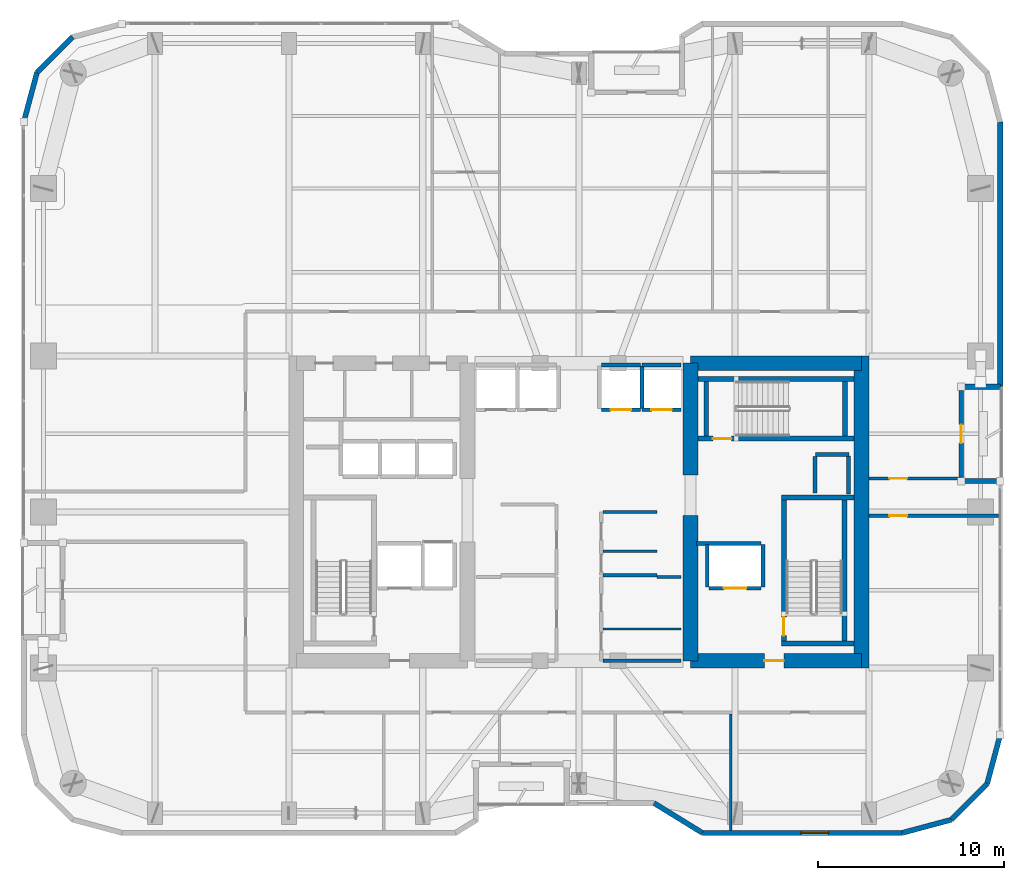
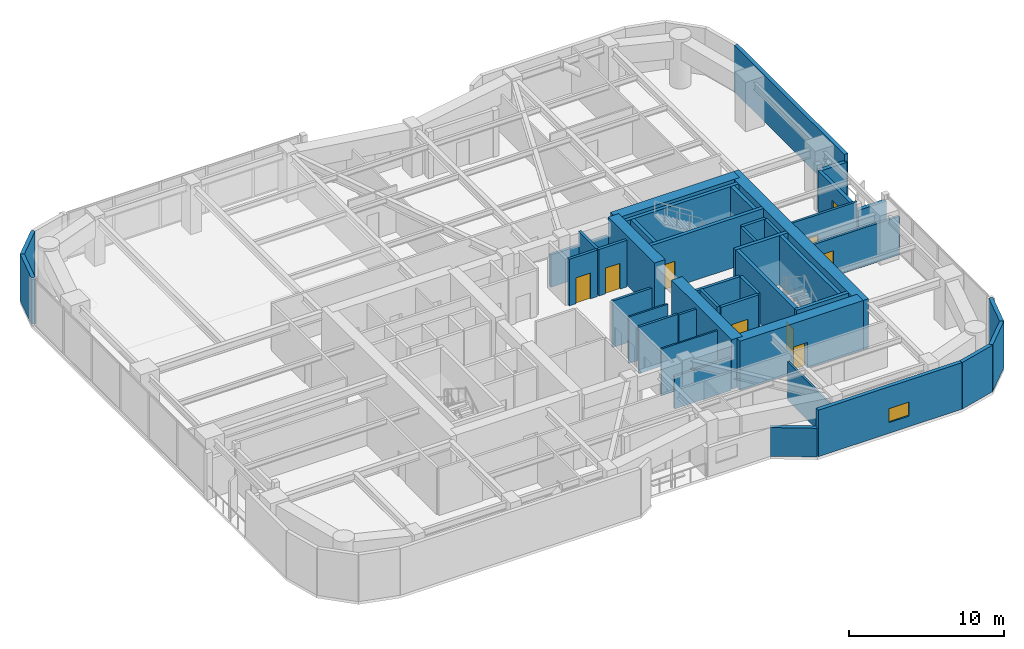
# One storey, part 27 of 31: 45 walls, 9 doors, 1 window, 10 openings.
"""IFC4 building model written with IfcOpenShell, lengths in metres."""

from ifc_helpers import new_model, si_unit, direction, frame, frame_2d, origin, place, context, subcontext, project, spatial, rectangle, extrude, material, layer, layer_set, type_object, element, fill, save


model = new_model("IFC4")

# Units and contexts
model_context = context("Model", 3, precision=1e-05, world=origin(), true_north=direction((0.0, 1.0)))
body_context = subcontext(model_context, "Body", "Model", "MODEL_VIEW")
ifc_project = project(units=[si_unit("LENGTHUNIT", "METRE"), si_unit("AREAUNIT", "SQUARE_METRE"), si_unit("VOLUMEUNIT", "CUBIC_METRE"), si_unit("PLANEANGLEUNIT", "RADIAN"), si_unit("MASSUNIT", "GRAM", prefix="KILO")], contexts=[model_context])

# Site, building, storey
site_placement = place(None, origin())
site = spatial("IfcSite", under=ifc_project, at=site_placement, CompositionType="ELEMENT")
building_placement = place(site_placement, origin())
building = spatial("IfcBuilding", under=site, at=building_placement, Name="Kiyonajd Concourse Tower", CompositionType="ELEMENT")
storey_placement = place(building_placement, frame((0.0, 0.0, 158.39990234375)))
storey = spatial("IfcBuildingStorey", under=building, at=storey_placement, Name="L40", CompositionType="ELEMENT", Elevation=158.39990234375)

# Walls
ifc_material_1 = material(Name="Concrete C70/85", Category="concrete")
ifc_layer_1 = layer(ifc_material_1, 0.800048828125)
ifc_layer_set_1 = layer_set([ifc_layer_1], Name="Concrete C70/85")
wall_type_1 = type_object("IfcWallType", Name="WL-CORE-800", PredefinedType="SHEAR", material=ifc_layer_set_1)
wall_1_placement = place(storey_placement, frame((54.0, 28.0, 0.0), z_axis=(0.0, 0.0, 1.0), x_axis=(0.0, 1.0, 0.0)))
element("IfcWall", 1, at=wall_1_placement, inside=storey, type_object=wall_type_1, Name="L40 East Core Inner South Shear Wall", PredefinedType="SHEAR", context=body_context, shape_type="SweptSolid", body=[
    extrude(rectangle(XDim=7.800048828125, YDim=0.800048828125, at=frame_2d((3.89990234375, 0.0))), origin(), (0.0, 0.0, 1.0), 3.900146484375),
])
wall_2_placement = place(storey_placement, frame((54.0, 38.0, 0.0), z_axis=(0.0, 0.0, 1.0), x_axis=(0.0, 1.0, 0.0)))
element("IfcWall", 2, at=wall_2_placement, inside=storey, type_object=wall_type_1, Name="L40 East Core Inner North Shear Wall", PredefinedType="SHEAR", context=body_context, shape_type="SweptSolid", body=[
    extrude(rectangle(XDim=6.0, YDim=0.800048828125, at=frame_2d((3.0, 0.0))), origin(), (0.0, 0.0, 1.0), 3.900146484375),
])
wall_3_placement = place(storey_placement, frame((63.199951171875, 27.60009765625, 0.0), z_axis=(0.0, 0.0, 1.0), x_axis=(0.0, 1.0, 0.0)))
element("IfcWall", 3, at=wall_3_placement, inside=storey, type_object=wall_type_1, Name="L40 East Core Outer Shear Wall", PredefinedType="SHEAR", context=body_context, shape_type="SweptSolid", body=[
    extrude(rectangle(XDim=16.7998046875, YDim=0.800048828125, at=frame_2d((8.39990234375, 0.0))), origin(), (0.0, 0.0, 1.0), 3.900146484375),
])

# Wall, opening, door
wall_4_placement = place(storey_placement, frame((54.0, 28.0, 0.0), z_axis=(0.0, 0.0, 1.0), x_axis=(1.0, 0.0, 0.0)))
wall_4 = element("IfcWall", 4, at=wall_4_placement, inside=storey, type_object=wall_type_1, Name="L40 East Core South Shear Wall", PredefinedType="SHEAR", context=body_context, shape_type="SweptSolid", body=[
    extrude(rectangle(XDim=9.199951171875, YDim=0.800048828125, at=frame_2d((4.60009765625, 0.0))), origin(), (0.0, 0.0, 1.0), 3.900146484375),
])
opening_1_placement = place(wall_4_placement, frame((3.97509765625, 0.0, 0.0)))
opening_1 = element("IfcOpeningElement", 5, at=opening_1_placement, cuts=wall_4, Name="Opening DF5", PredefinedType="OPENING", context=body_context, shape_type="SweptSolid", body=[
    extrude(rectangle(XDim=1.050048828125, YDim=2.0400390625, at=frame_2d((0.52490234375, 1.02001953125))), frame((0.0, 0.409912109375, 0.0), z_axis=(0.0, -1.0, 0.0), x_axis=(1.0, 0.0, 0.0)), (0.0, 0.0, 1.0), 0.820068359375),
])
ifc_material_2 = material(Name="Brushed Stainless Steel Cab Assembly", Category="steel")
door_type_1 = type_object("IfcDoorType", Name="DR-FD45-1050", OperationType="NOTDEFINED", PredefinedType="DOOR", material=ifc_material_2)
door_1_placement = place(opening_1_placement, origin())
door_1 = element("IfcDoor", 6, at=door_1_placement, inside=storey, type_object=door_type_1, Name="L40 Firefighting Lift Lobby E Smoke Door", OperationType="SINGLE_SWING_RIGHT", OverallHeight=2.0400390625, OverallWidth=1.050048828125, PredefinedType="DOOR", context=body_context, shape_type="SweptSolid", body=[
    extrude(rectangle(XDim=1.050048828125, YDim=2.0400390625, at=frame_2d((0.52490234375, 1.02001953125))), frame((0.0, 0.02490234375, 0.0), z_axis=(0.0, -1.0, 0.0), x_axis=(1.0, 0.0, 0.0)), (0.0, 0.0, 1.0), 0.050048828125),
])
fill(opening_1, door_1)

# Walls
wall_5_placement = place(storey_placement, frame((54.0, 44.0, 0.0), z_axis=(0.0, 0.0, 1.0), x_axis=(1.0, 0.0, 0.0)))
element("IfcWall", 7, at=wall_5_placement, inside=storey, type_object=wall_type_1, Name="L40 East Core North Shear Wall", PredefinedType="SHEAR", context=body_context, shape_type="SweptSolid", body=[
    extrude(rectangle(XDim=9.199951171875, YDim=0.800048828125, at=frame_2d((4.60009765625, 0.0))), origin(), (0.0, 0.0, 1.0), 3.900146484375),
])
ifc_material_3 = material(Name="Precast concrete C50/60", Category="concrete")
ifc_layer_2 = layer(ifc_material_3, 0.280029296875)
ifc_layer_set_2 = layer_set([ifc_layer_2], Name="Precast concrete C50/60")
wall_type_2 = type_object("IfcWallType", Name="WL-EXT-280", PredefinedType="SOLIDWALL", material=ifc_layer_set_2)
wall_6_placement = place(storey_placement, frame((18.139892578125, 56.981689453125, 0.0), z_axis=(0.0, 0.0, 1.0), x_axis=(0.258672222976, 0.9659651552, 0.0)))
element("IfcWall", 8, at=wall_6_placement, inside=storey, type_object=wall_type_2, Name="L40 Exterior Concrete Frame Wall 06", PredefinedType="SOLIDWALL", context=body_context, shape_type="SweptSolid", body=[
    extrude(rectangle(XDim=2.739013671875, YDim=0.280029296875, at=frame_2d((1.36962890625, 0.0))), origin(), (0.0, 0.0, 1.0), 3.68017578125),
])
wall_7_placement = place(storey_placement, frame((18.848388671875, 59.62744140625, 0.0), z_axis=(0.0, 0.0, 1.0), x_axis=(0.707106781187, 0.707106781187, 0.0)))
element("IfcWall", 9, at=wall_7_placement, inside=storey, type_object=wall_type_2, Name="L40 Exterior Concrete Frame Wall 07", PredefinedType="SOLIDWALL", context=body_context, shape_type="SweptSolid", body=[
    extrude(rectangle(XDim=2.720947265625, YDim=0.280029296875, at=frame_2d((1.3603515625, 0.0))), origin(), (0.0, 0.0, 1.0), 3.68017578125),
])
wall_8_placement = place(storey_placement, frame((70.659912109375, 56.981689453125, 0.0), z_axis=(0.0, 0.0, 1.0), x_axis=(0.0, -1.0, 0.0)))
element("IfcWall", 10, at=wall_8_placement, inside=storey, type_object=wall_type_2, Name="L40 Exterior Concrete Frame Wall 20", PredefinedType="SOLIDWALL", context=body_context, shape_type="SweptSolid", body=[
    extrude(rectangle(XDim=14.24169921875, YDim=0.280029296875, at=frame_2d((7.120849609375, 0.0))), origin(), (0.0, 0.0, 1.0), 3.68017578125),
])
for number, where, z_axis, x_axis, name in (
    (11, (70.659912109375, 42.739990234375, 0.0), (0.0, 0.0, 1.0), (-1.0, 0.0, 0.0), "L40 Exterior Concrete Frame Wall 21"),
    (12, (68.56005859375, 37.659912109375, 0.0), (0.0, 0.0, 1.0), (1.0, 0.0, 0.0), "L40 Exterior Concrete Frame Wall 23"),
):
    element("IfcWall", number, at=place(storey_placement, frame(where, z_axis=z_axis, x_axis=x_axis)), inside=storey, type_object=wall_type_2, Name=name, PredefinedType="SOLIDWALL", context=body_context, shape_type="SweptSolid", body=[
        extrude(rectangle(XDim=2.099853515625, YDim=0.280029296875, at=frame_2d((1.0498046875, 0.0))), origin(), (0.0, 0.0, 1.0), 3.1162109375),
    ])
wall_9_placement = place(storey_placement, frame((70.659912109375, 24.018310546875, 0.0), z_axis=(0.0, 0.0, 1.0), x_axis=(-0.258672222976, -0.9659651552, 0.0)))
element("IfcWall", 13, at=wall_9_placement, inside=storey, type_object=wall_type_2, Name="L40 Exterior Concrete Frame Wall 25", PredefinedType="SOLIDWALL", context=body_context, shape_type="SweptSolid", body=[
    extrude(rectangle(XDim=2.739013671875, YDim=0.280029296875, at=frame_2d((1.36962890625, 0.0))), origin(), (0.0, 0.0, 1.0), 3.68017578125),
])
wall_10_placement = place(storey_placement, frame((69.951416015625, 21.37255859375, 0.0), z_axis=(0.0, 0.0, 1.0), x_axis=(-0.707061915429, -0.707151644098, 0.0)))
element("IfcWall", 14, at=wall_10_placement, inside=storey, type_object=wall_type_2, Name="L40 Exterior Concrete Frame Wall 26", PredefinedType="SOLIDWALL", context=body_context, shape_type="SweptSolid", body=[
    extrude(rectangle(XDim=2.720947265625, YDim=0.280029296875, at=frame_2d((1.3603515625, 0.0))), origin(), (0.0, 0.0, 1.0), 3.68017578125),
])
wall_11_placement = place(storey_placement, frame((68.027587890625, 19.448486328125, 0.0), z_axis=(0.0, 0.0, 1.0), x_axis=(-0.965971118627, -0.258649952598, 0.0)))
element("IfcWall", 15, at=wall_11_placement, inside=storey, type_object=wall_type_2, Name="L40 Exterior Concrete Frame Wall 27", PredefinedType="SOLIDWALL", context=body_context, shape_type="SweptSolid", body=[
    extrude(rectangle(XDim=2.7392578125, YDim=0.280029296875, at=frame_2d((1.36962890625, 0.0))), origin(), (0.0, 0.0, 1.0), 3.68017578125),
])

# Wall, opening, window
wall_12_placement = place(storey_placement, frame((65.381591796875, 18.739990234375, 0.0), z_axis=(0.0, 0.0, 1.0), x_axis=(-1.0, 0.0, 0.0)))
wall_12 = element("IfcWall", 16, at=wall_12_placement, inside=storey, type_object=wall_type_2, Name="L40 Exterior Concrete Frame Wall 28", PredefinedType="SOLIDWALL", context=body_context, shape_type="SweptSolid", body=[
    extrude(rectangle(XDim=10.741943359375, YDim=0.280029296875, at=frame_2d((5.37109375, 0.0))), origin(), (0.0, 0.0, 1.0), 3.68017578125),
])
opening_2_placement = place(wall_12_placement, frame((3.950927734375, 0.0, 0.85009765625)))
opening_2 = element("IfcOpeningElement", 17, at=opening_2_placement, cuts=wall_12, Name="Opening WN2", PredefinedType="OPENING", context=body_context, shape_type="SweptSolid", body=[
    extrude(rectangle(XDim=1.5, YDim=1.10009765625, at=frame_2d((0.75, 0.550048828125))), frame((0.0, 0.14990234375, 0.0), z_axis=(0.0, -1.0, 0.0), x_axis=(1.0, 0.0, 0.0)), (0.0, 0.0, 1.0), 0.300048828125),
])
ifc_material_4 = material(Name="Double Low-E Insulated Glass", Category="glass")
window_type = type_object("IfcWindowType", Name="WN-VIS-1500x1100", PartitioningType="SINGLE_PANEL", PredefinedType="WINDOW", material=ifc_material_4)
window_placement = place(opening_2_placement, origin())
window = element("IfcWindow", 18, at=window_placement, inside=storey, type_object=window_type, Name="L40 Modular Facade Vision Window 28", OverallHeight=1.10009765625, OverallWidth=1.5, PartitioningType="SINGLE_PANEL", PredefinedType="WINDOW", context=body_context, shape_type="SweptSolid", body=[
    extrude(rectangle(XDim=1.5, YDim=1.10009765625, at=frame_2d((0.75, 0.550048828125))), frame((0.0, 0.030029296875, 0.0), z_axis=(0.0, -1.0, 0.0), x_axis=(1.0, 0.0, 0.0)), (0.0, 0.0, 1.0), 0.06005859375),
])
fill(opening_2, window)

# Wall
wall_13_placement = place(storey_placement, frame((54.6396484375, 18.739990234375, 0.0), z_axis=(0.0, 0.0, 1.0), x_axis=(-0.851652825334, 0.524106349037, 0.0)))
element("IfcWall", 19, at=wall_13_placement, inside=storey, type_object=wall_type_2, Name="L40 Exterior Concrete Frame Wall 29", PredefinedType="SOLIDWALL", context=body_context, shape_type="SweptSolid", body=[
    extrude(rectangle(XDim=3.052978515625, YDim=0.280029296875, at=frame_2d((1.5263671875, 0.0))), origin(), (0.0, 0.0, 1.0), 2.26513671875),
])

# Wall, opening, door
ifc_layer_3 = layer(ifc_material_3, 0.239990234375)
ifc_layer_set_3 = layer_set([ifc_layer_3], Name="Precast concrete C50/60")
wall_type_3 = type_object("IfcWallType", Name="WL-LOG-240", PredefinedType="SOLIDWALL", material=ifc_layer_set_3)
wall_14_placement = place(storey_placement, frame((68.56005859375, 42.544921875, 0.0), z_axis=(0.0, 0.0, 1.0), x_axis=(0.0, -1.0, 0.0)))
wall_14 = element("IfcWall", 20, at=wall_14_placement, inside=storey, type_object=wall_type_3, Name="L40 Recessed Loggia Thermal Wall LOG-E", PredefinedType="SOLIDWALL", context=body_context, shape_type="SweptSolid", body=[
    extrude(rectangle(XDim=4.68994140625, YDim=0.239990234375, at=frame_2d((2.344970703125, 0.0))), origin(), (0.0, 0.0, 1.0), 3.248046875),
])
opening_3_placement = place(wall_14_placement, frame((1.844970703125, 0.0, 0.0)))
opening_3 = element("IfcOpeningElement", 21, at=opening_3_placement, cuts=wall_14, Name="Opening DL1", PredefinedType="OPENING", context=body_context, shape_type="SweptSolid", body=[
    extrude(rectangle(XDim=1.0, YDim=2.02001953125, at=frame_2d((0.5, 1.010009765625))), frame((0.0, 0.1298828125, 0.0), z_axis=(0.0, -1.0, 0.0), x_axis=(1.0, 0.0, 0.0)), (0.0, 0.0, 1.0), 0.260009765625),
])
ifc_material_5 = material(Name="Thermally Broken Anodised Aluminium", Category="aluminium")
door_type_2 = type_object("IfcDoorType", Name="DR-LOG-1000", OperationType="NOTDEFINED", PredefinedType="DOOR", material=ifc_material_5)
door_2_placement = place(opening_3_placement, origin())
door_2 = element("IfcDoor", 22, at=door_2_placement, inside=storey, type_object=door_type_2, Name="L40 Engawa Loggia Access Door LOG-E", OperationType="SINGLE_SWING_LEFT", OverallHeight=2.02001953125, OverallWidth=1.0, PredefinedType="DOOR", context=body_context, shape_type="SweptSolid", body=[
    extrude(rectangle(XDim=1.0, YDim=2.02001953125, at=frame_2d((0.5, 1.010009765625))), frame((0.0, 0.02490234375, 0.0), z_axis=(0.0, -1.0, 0.0), x_axis=(1.0, 0.0, 0.0)), (0.0, 0.0, 1.0), 0.050048828125),
])
fill(opening_3, door_2)

# Walls
ifc_material_6 = material(Name="Gypsum Board on Cold-Formed Steel Stud", Category="steel")
ifc_layer_4 = layer(ifc_material_6, 0.125)
ifc_layer_set_4 = layer_set([ifc_layer_4], Name="Gypsum Board on Cold-Formed Steel Stud")
wall_type_4 = type_object("IfcWallType", Name="WL-PART-125", PredefinedType="PARTITIONING", material=ifc_layer_set_4)
wall_15_placement = place(storey_placement, frame((49.287109375, 33.89208984375, 0.0), z_axis=(0.0, 0.0, 1.0), x_axis=(1.0, 0.0, 0.0)))
element("IfcWall", 23, at=wall_15_placement, inside=storey, type_object=wall_type_4, Name="L40 Interior Partition Wall", PredefinedType="PARTITIONING", context=body_context, shape_type="SweptSolid", body=[
    extrude(rectangle(XDim=2.912841796875, YDim=0.125, at=frame_2d((1.45654296875, 0.0))), origin(), (0.0, 0.0, 1.0), 3.68017578125),
])
wall_16_placement = place(storey_placement, frame((49.287109375, 29.7099609375, 0.0), z_axis=(0.0, 0.0, 1.0), x_axis=(1.0, 0.0, 0.0)))
element("IfcWall", 24, at=wall_16_placement, inside=storey, type_object=wall_type_4, Name="L40 Interior Partition Wall", PredefinedType="PARTITIONING", context=body_context, shape_type="SweptSolid", body=[
    extrude(rectangle(XDim=4.212890625, YDim=0.125, at=frame_2d((2.1064453125, 0.0))), origin(), (0.0, 0.0, 1.0), 3.68017578125),
])
wall_17_placement = place(storey_placement, frame((56.169921875, 18.875, 0.0), z_axis=(0.0, 0.0, 1.0), x_axis=(0.0, 1.0, 0.0)))
element("IfcWall", 25, at=wall_17_placement, inside=storey, type_object=wall_type_4, Name="L40 Interior Partition Wall", PredefinedType="PARTITIONING", context=body_context, shape_type="SweptSolid", body=[
    extrude(rectangle(XDim=6.258056640625, YDim=0.125, at=frame_2d((3.12890625, 0.0))), origin(), (0.0, 0.0, 1.0), 3.043212890625),
])
ifc_layer_5 = layer(ifc_material_6, 0.2099609375)
ifc_layer_set_5 = layer_set([ifc_layer_5], Name="Gypsum Board on Cold-Formed Steel Stud")
wall_type_5 = type_object("IfcWallType", Name="WL-SHAFT-210", PredefinedType="PARTITIONING", material=ifc_layer_set_5)
wall_18_placement = place(storey_placement, frame((60.719970703125, 39.10009765625, 0.0), z_axis=(0.0, 0.0, 1.0), x_axis=(1.0, 0.0, 0.0)))
element("IfcWall", 26, at=wall_18_placement, inside=storey, type_object=wall_type_5, Name="L40 Shaft Enclosure Wall", PredefinedType="PARTITIONING", context=body_context, shape_type="SweptSolid", body=[
    extrude(rectangle(XDim=1.800048828125, YDim=0.2099609375, at=frame_2d((0.89990234375, 0.0))), origin(), (0.0, 0.0, 1.0), 3.68017578125),
])
wall_19_placement = place(storey_placement, frame((60.699951171875, 37.02001953125, 0.0), z_axis=(0.0, 0.0, 1.0), x_axis=(0.0, 1.0, 0.0)))
element("IfcWall", 27, at=wall_19_placement, inside=storey, type_object=wall_type_5, Name="L40 Shaft Enclosure Wall", PredefinedType="PARTITIONING", context=body_context, shape_type="SweptSolid", body=[
    extrude(rectangle(XDim=1.9599609375, YDim=0.2099609375, at=frame_2d((0.97998046875, 0.0))), origin(), (0.0, 0.0, 1.0), 3.68017578125),
])
wall_20_placement = place(storey_placement, frame((62.5, 36.97998046875, 0.0), z_axis=(0.0, 0.0, 1.0), x_axis=(0.0, 1.0, 0.0)))
element("IfcWall", 28, at=wall_20_placement, inside=storey, type_object=wall_type_5, Name="L40 Shaft Enclosure Wall", PredefinedType="PARTITIONING", context=body_context, shape_type="SweptSolid", body=[
    extrude(rectangle(XDim=2.0400390625, YDim=0.2099609375, at=frame_2d((1.02001953125, 0.0))), origin(), (0.0, 0.0, 1.0), 3.68017578125),
])

# Wall, opening, door
wall_21_placement = place(storey_placement, frame((55.0, 31.89990234375, 0.0), z_axis=(0.0, 0.0, 1.0), x_axis=(1.0, 0.0, 0.0)))
wall_21 = element("IfcWall", 29, at=wall_21_placement, inside=storey, type_object=wall_type_5, Name="L40 Shaft Enclosure Wall", PredefinedType="PARTITIONING", context=body_context, shape_type="SweptSolid", body=[
    extrude(rectangle(XDim=2.800048828125, YDim=0.2099609375, at=frame_2d((1.39990234375, 0.0))), origin(), (0.0, 0.0, 1.0), 3.68017578125),
])
opening_4_placement = place(wall_21_placement, frame((0.800048828125, 0.0, 0.0)))
opening_4 = element("IfcOpeningElement", 30, at=opening_4_placement, cuts=wall_21, Name="Opening LD2", PredefinedType="OPENING", context=body_context, shape_type="SweptSolid", body=[
    extrude(rectangle(XDim=1.199951171875, YDim=2.0400390625, at=frame_2d((0.60009765625, 1.02001953125))), frame((0.0, 0.114990234375, 0.0), z_axis=(0.0, -1.0, 0.0), x_axis=(1.0, 0.0, 0.0)), (0.0, 0.0, 1.0), 0.22998046875),
])
door_type_3 = type_object("IfcDoorType", Name="DR-LD-1200", OperationType="DOUBLE_DOOR_SLIDING", PredefinedType="DOOR", material=ifc_material_2)
door_3_placement = place(opening_4_placement, origin())
door_3 = element("IfcDoor", 31, at=door_3_placement, inside=storey, type_object=door_type_3, Name="L40 Lift FFL2 Sliding Landing Door", OperationType="DOUBLE_DOOR_SLIDING", OverallHeight=2.0400390625, OverallWidth=1.199951171875, PredefinedType="DOOR", context=body_context, shape_type="SweptSolid", body=[
    extrude(rectangle(XDim=1.199951171875, YDim=2.0400390625, at=frame_2d((0.60009765625, 1.02001953125))), frame((0.0, 0.02490234375, 0.0), z_axis=(0.0, -1.0, 0.0), x_axis=(1.0, 0.0, 0.0)), (0.0, 0.0, 1.0), 0.050048828125),
])
fill(opening_4, door_3)

# Walls
wall_22_placement = place(storey_placement, frame((54.320068359375, 34.300048828125, 0.0), z_axis=(0.0, 0.0, 1.0), x_axis=(1.0, 0.0, 0.0)))
element("IfcWall", 32, at=wall_22_placement, inside=storey, type_object=wall_type_5, Name="L40 Shaft Enclosure Wall", PredefinedType="PARTITIONING", context=body_context, shape_type="SweptSolid", body=[
    extrude(rectangle(XDim=3.47998046875, YDim=0.2099609375, at=frame_2d((1.739990234375, 0.0))), origin(), (0.0, 0.0, 1.0), 3.68017578125),
])
for number, where, z_axis, x_axis, name in (
    (33, (54.89990234375, 31.9599609375, 0.0), (0.0, 0.0, 1.0), (0.0, 1.0, 0.0), "L40 Shaft Enclosure Wall"),
    (34, (57.89990234375, 31.9599609375, 0.0), (0.0, 0.0, 1.0), (0.0, 1.0, 0.0), "L40 Shaft Enclosure Wall"),
):
    element("IfcWall", number, at=place(storey_placement, frame(where, z_axis=z_axis, x_axis=x_axis)), inside=storey, type_object=wall_type_5, Name=name, PredefinedType="PARTITIONING", context=body_context, shape_type="SweptSolid", body=[
        extrude(rectangle(XDim=2.280029296875, YDim=0.2099609375, at=frame_2d((1.14013671875, 0.0))), origin(), (0.0, 0.0, 1.0), 3.68017578125),
    ])

# Wall, opening, door
wall_23_placement = place(storey_placement, frame((49.199951171875, 41.5, 0.0), z_axis=(0.0, 0.0, 1.0), x_axis=(1.0, 0.0, 0.0)))
wall_23 = element("IfcWall", 35, at=wall_23_placement, inside=storey, type_object=wall_type_5, Name="L40 Shaft Enclosure Wall", PredefinedType="PARTITIONING", context=body_context, shape_type="SweptSolid", body=[
    extrude(rectangle(XDim=2.10009765625, YDim=0.2099609375, at=frame_2d((1.050048828125, 0.0))), origin(), (0.0, 0.0, 1.0), 3.68017578125),
])
opening_5_placement = place(wall_23_placement, frame((0.5, 0.0, 0.0)))
opening_5 = element("IfcOpeningElement", 36, at=opening_5_placement, cuts=wall_23, Name="Opening LD1", PredefinedType="OPENING", context=body_context, shape_type="SweptSolid", body=[
    extrude(rectangle(XDim=1.10009765625, YDim=2.0400390625, at=frame_2d((0.550048828125, 1.02001953125))), frame((0.0, 0.114990234375, 0.0), z_axis=(0.0, -1.0, 0.0), x_axis=(1.0, 0.0, 0.0)), (0.0, 0.0, 1.0), 0.22998046875),
])
door_type_4 = type_object("IfcDoorType", Name="DR-LD-1100", OperationType="DOUBLE_DOOR_SLIDING", PredefinedType="DOOR", material=ifc_material_2)
door_4_placement = place(opening_5_placement, origin())
door_4 = element("IfcDoor", 37, at=door_4_placement, inside=storey, type_object=door_type_4, Name="L40 Lift PL-M3 Sliding Landing Door", OperationType="DOUBLE_DOOR_SLIDING", OverallHeight=2.0400390625, OverallWidth=1.10009765625, PredefinedType="DOOR", context=body_context, shape_type="SweptSolid", body=[
    extrude(rectangle(XDim=1.10009765625, YDim=2.0400390625, at=frame_2d((0.550048828125, 1.02001953125))), frame((0.0, 0.02490234375, 0.0), z_axis=(0.0, -1.0, 0.0), x_axis=(1.0, 0.0, 0.0)), (0.0, 0.0, 1.0), 0.050048828125),
])
fill(opening_5, door_4)

# Walls
wall_24_placement = place(storey_placement, frame((49.199951171875, 43.89990234375, 0.0), z_axis=(0.0, 0.0, 1.0), x_axis=(1.0, 0.0, 0.0)))
element("IfcWall", 38, at=wall_24_placement, inside=storey, type_object=wall_type_5, Name="L40 Shaft Enclosure Wall", PredefinedType="PARTITIONING", context=body_context, shape_type="SweptSolid", body=[
    extrude(rectangle(XDim=2.10009765625, YDim=0.2099609375, at=frame_2d((1.050048828125, 0.0))), origin(), (0.0, 0.0, 1.0), 2.565185546875),
])
wall_25_placement = place(storey_placement, frame((51.39990234375, 41.56005859375, 0.0), z_axis=(0.0, 0.0, 1.0), x_axis=(0.0, 1.0, 0.0)))
element("IfcWall", 39, at=wall_25_placement, inside=storey, type_object=wall_type_5, Name="L40 Shaft Enclosure Wall", PredefinedType="PARTITIONING", context=body_context, shape_type="SweptSolid", body=[
    extrude(rectangle(XDim=2.280029296875, YDim=0.2099609375, at=frame_2d((1.14013671875, 0.0))), origin(), (0.0, 0.0, 1.0), 3.68017578125),
])

# Wall, opening, door
wall_26_placement = place(storey_placement, frame((51.39990234375, 41.5, 0.0), z_axis=(0.0, 0.0, 1.0), x_axis=(1.0, 0.0, 0.0)))
wall_26 = element("IfcWall", 40, at=wall_26_placement, inside=storey, type_object=wall_type_5, Name="L40 Shaft Enclosure Wall", PredefinedType="PARTITIONING", context=body_context, shape_type="SweptSolid", body=[
    extrude(rectangle(XDim=2.10009765625, YDim=0.2099609375, at=frame_2d((1.050048828125, 0.0))), origin(), (0.0, 0.0, 1.0), 3.68017578125),
])
opening_6_placement = place(wall_26_placement, frame((0.5, 0.0, 0.0)))
opening_6 = element("IfcOpeningElement", 41, at=opening_6_placement, cuts=wall_26, Name="Opening LD1", PredefinedType="OPENING", context=body_context, shape_type="SweptSolid", body=[
    extrude(rectangle(XDim=1.10009765625, YDim=2.0400390625, at=frame_2d((0.550048828125, 1.02001953125))), frame((0.0, 0.114990234375, 0.0), z_axis=(0.0, -1.0, 0.0), x_axis=(1.0, 0.0, 0.0)), (0.0, 0.0, 1.0), 0.22998046875),
])
door_5_placement = place(opening_6_placement, origin())
door_5 = element("IfcDoor", 42, at=door_5_placement, inside=storey, type_object=door_type_4, Name="L40 Lift PL-M4 Sliding Landing Door", OperationType="DOUBLE_DOOR_SLIDING", OverallHeight=2.0400390625, OverallWidth=1.10009765625, PredefinedType="DOOR", context=body_context, shape_type="SweptSolid", body=[
    extrude(rectangle(XDim=1.10009765625, YDim=2.0400390625, at=frame_2d((0.550048828125, 1.02001953125))), frame((0.0, 0.02490234375, 0.0), z_axis=(0.0, -1.0, 0.0), x_axis=(1.0, 0.0, 0.0)), (0.0, 0.0, 1.0), 0.050048828125),
])
fill(opening_6, door_5)

# Walls
wall_27_placement = place(storey_placement, frame((51.39990234375, 43.89990234375, 0.0), z_axis=(0.0, 0.0, 1.0), x_axis=(1.0, 0.0, 0.0)))
element("IfcWall", 43, at=wall_27_placement, inside=storey, type_object=wall_type_5, Name="L40 Shaft Enclosure Wall", PredefinedType="PARTITIONING", context=body_context, shape_type="SweptSolid", body=[
    extrude(rectangle(XDim=2.10009765625, YDim=0.2099609375, at=frame_2d((1.050048828125, 0.0))), origin(), (0.0, 0.0, 1.0), 2.565185546875),
])
ifc_layer_6 = layer(ifc_material_6, 0.169921875)
ifc_layer_set_6 = layer_set([ifc_layer_6], Name="Gypsum Board on Cold-Formed Steel Stud")
wall_type_6 = type_object("IfcWallType", Name="WL-SMK-170", PredefinedType="PARTITIONING", material=ifc_layer_set_6)
for number, where, z_axis, x_axis, name in (
    (44, (49.287109375, 32.60009765625, 0.0), (0.0, 0.0, 1.0), (1.0, 0.0, 0.0), "L40 Interior Partition Wall"),
    (45, (49.287109375, 36.0, 0.0), (0.0, 0.0, 1.0), (1.0, 0.0, 0.0), "L40 Interior Partition Wall"),
):
    element("IfcWall", number, at=place(storey_placement, frame(where, z_axis=z_axis, x_axis=x_axis)), inside=storey, type_object=wall_type_6, Name=name, PredefinedType="PARTITIONING", context=body_context, shape_type="SweptSolid", body=[
        extrude(rectangle(XDim=2.912841796875, YDim=0.169921875, at=frame_2d((1.45654296875, 0.0))), origin(), (0.0, 0.0, 1.0), 3.68017578125),
    ])
wall_28_placement = place(storey_placement, frame((49.287109375, 28.0, 0.0), z_axis=(0.0, 0.0, 1.0), x_axis=(1.0, 0.0, 0.0)))
element("IfcWall", 46, at=wall_28_placement, inside=storey, type_object=wall_type_6, Name="L40 Interior Partition Wall", PredefinedType="PARTITIONING", context=body_context, shape_type="SweptSolid", body=[
    extrude(rectangle(XDim=4.212890625, YDim=0.169921875, at=frame_2d((2.1064453125, 0.0))), origin(), (0.0, 0.0, 1.0), 2.565185546875),
])
wall_29_placement = place(storey_placement, frame((52.199951171875, 32.5, 0.0), z_axis=(0.0, 0.0, 1.0), x_axis=(1.0, 0.0, 0.0)))
element("IfcWall", 47, at=wall_29_placement, inside=storey, type_object=wall_type_6, Name="L40 Interior Partition Wall", PredefinedType="PARTITIONING", context=body_context, shape_type="SweptSolid", body=[
    extrude(rectangle(XDim=1.300048828125, YDim=0.169921875, at=frame_2d((0.64990234375, 0.0))), origin(), (0.0, 0.0, 1.0), 3.68017578125),
])

# Wall, opening, door
wall_30_placement = place(storey_placement, frame((63.60009765625, 35.800048828125, 0.0), z_axis=(0.0, 0.0, 1.0), x_axis=(1.0, 0.0, 0.0)))
wall_30 = element("IfcWall", 48, at=wall_30_placement, inside=storey, type_object=wall_type_6, Name="L40 Interior Partition Wall", PredefinedType="PARTITIONING", context=body_context, shape_type="SweptSolid", body=[
    extrude(rectangle(XDim=6.974853515625, YDim=0.169921875, at=frame_2d((3.4873046875, 0.0))), origin(), (0.0, 0.0, 1.0), 3.043212890625),
])
opening_7_placement = place(wall_30_placement, frame((1.10009765625, 0.0, 0.0)))
opening_7 = element("IfcOpeningElement", 49, at=opening_7_placement, cuts=wall_30, Name="Opening DI1", PredefinedType="OPENING", context=body_context, shape_type="SweptSolid", body=[
    extrude(rectangle(XDim=0.949951171875, YDim=2.0400390625, at=frame_2d((0.47509765625, 1.02001953125))), frame((0.0, 0.094970703125, 0.0), z_axis=(0.0, -1.0, 0.0), x_axis=(1.0, 0.0, 0.0)), (0.0, 0.0, 1.0), 0.18994140625),
])
ifc_material_7 = material(Name="Natural Oak Acoustic Timber Veneer", Category="wood")
door_type_5 = type_object("IfcDoorType", Name="DR-INT-950", OperationType="NOTDEFINED", PredefinedType="DOOR", material=ifc_material_7)
door_6_placement = place(opening_7_placement, origin())
door_6 = element("IfcDoor", 50, at=door_6_placement, inside=storey, type_object=door_type_5, Name="L40 Interior Door", OperationType="SINGLE_SWING_LEFT", OverallHeight=2.0400390625, OverallWidth=0.949951171875, PredefinedType="DOOR", context=body_context, shape_type="SweptSolid", body=[
    extrude(rectangle(XDim=0.949951171875, YDim=2.0400390625, at=frame_2d((0.47509765625, 1.02001953125))), frame((0.0, 0.02490234375, 0.0), z_axis=(0.0, -1.0, 0.0), x_axis=(1.0, 0.0, 0.0)), (0.0, 0.0, 1.0), 0.050048828125),
])
fill(opening_7, door_6)

wall_31_placement = place(storey_placement, frame((63.60009765625, 37.800048828125, 0.0), z_axis=(0.0, 0.0, 1.0), x_axis=(1.0, 0.0, 0.0)))
wall_31 = element("IfcWall", 51, at=wall_31_placement, inside=storey, type_object=wall_type_6, Name="L40 Interior Partition Wall", PredefinedType="PARTITIONING", context=body_context, shape_type="SweptSolid", body=[
    extrude(rectangle(XDim=4.9599609375, YDim=0.169921875, at=frame_2d((2.47998046875, 0.0))), origin(), (0.0, 0.0, 1.0), 3.68017578125),
])
opening_8_placement = place(wall_31_placement, frame((1.10009765625, 0.0, 0.0)))
opening_8 = element("IfcOpeningElement", 52, at=opening_8_placement, cuts=wall_31, Name="Opening DI1", PredefinedType="OPENING", context=body_context, shape_type="SweptSolid", body=[
    extrude(rectangle(XDim=0.949951171875, YDim=2.0400390625, at=frame_2d((0.47509765625, 1.02001953125))), frame((0.0, 0.094970703125, 0.0), z_axis=(0.0, -1.0, 0.0), x_axis=(1.0, 0.0, 0.0)), (0.0, 0.0, 1.0), 0.18994140625),
])
door_7_placement = place(opening_8_placement, origin())
door_7 = element("IfcDoor", 53, at=door_7_placement, inside=storey, type_object=door_type_5, Name="L40 Interior Door", OperationType="SINGLE_SWING_RIGHT", OverallHeight=2.0400390625, OverallWidth=0.949951171875, PredefinedType="DOOR", context=body_context, shape_type="SweptSolid", body=[
    extrude(rectangle(XDim=0.949951171875, YDim=2.0400390625, at=frame_2d((0.47509765625, 1.02001953125))), frame((0.0, 0.02490234375, 0.0), z_axis=(0.0, -1.0, 0.0), x_axis=(1.0, 0.0, 0.0)), (0.0, 0.0, 1.0), 0.050048828125),
])
fill(opening_8, door_7)

# Walls
ifc_material_8 = material(Name="Concrete C50/60", Category="concrete")
ifc_layer_7 = layer(ifc_material_8, 0.260009765625)
ifc_layer_set_7 = layer_set([ifc_layer_7], Name="Concrete C50/60")
wall_type_7 = type_object("IfcWallType", Name="WL-STAIR-260", PredefinedType="SHEAR", material=ifc_layer_set_7)
for number, where, z_axis, x_axis, name in (
    (54, (58.889892578125, 28.919921875, 0.0), (0.0, 0.0, 1.0), (1.0, 0.0, 0.0), "L40 Stair ST2 Structural South Wall"),
    (55, (58.889892578125, 36.780029296875, 0.0), (0.0, 0.0, 1.0), (1.0, 0.0, 0.0), "L40 Stair ST2 Structural North Wall"),
):
    element("IfcWall", number, at=place(storey_placement, frame(where, z_axis=z_axis, x_axis=x_axis)), inside=storey, type_object=wall_type_7, Name=name, PredefinedType="SHEAR", context=body_context, shape_type="SweptSolid", body=[
        extrude(rectangle(XDim=3.91015625, YDim=0.260009765625, at=frame_2d((1.955078125, 0.0))), origin(), (0.0, 0.0, 1.0), 3.900146484375),
    ])

# Wall, opening, door
wall_32_placement = place(storey_placement, frame((59.02001953125, 29.050048828125, 0.0), z_axis=(0.0, 0.0, 1.0), x_axis=(0.0, 1.0, 0.0)))
wall_32 = element("IfcWall", 56, at=wall_32_placement, inside=storey, type_object=wall_type_7, Name="L40 Stair ST2 Structural West Wall", PredefinedType="SHEAR", context=body_context, shape_type="SweptSolid", body=[
    extrude(rectangle(XDim=7.599853515625, YDim=0.260009765625, at=frame_2d((3.7998046875, 0.0))), origin(), (0.0, 0.0, 1.0), 3.900146484375),
])
opening_9_placement = place(wall_32_placement, frame((0.300048828125, 0.0, 0.0)))
opening_9 = element("IfcOpeningElement", 57, at=opening_9_placement, cuts=wall_32, Name="Opening DF1", PredefinedType="OPENING", context=body_context, shape_type="SweptSolid", body=[
    extrude(rectangle(XDim=1.0, YDim=2.0400390625, at=frame_2d((0.5, 1.02001953125))), frame((0.0, 0.139892578125, 0.0), z_axis=(0.0, -1.0, 0.0), x_axis=(1.0, 0.0, 0.0)), (0.0, 0.0, 1.0), 0.280029296875),
])
door_type_6 = type_object("IfcDoorType", Name="DR-FD90-1000", OperationType="NOTDEFINED", PredefinedType="DOOR", material=ifc_material_2)
door_8_placement = place(opening_9_placement, origin())
door_8 = element("IfcDoor", 58, at=door_8_placement, inside=storey, type_object=door_type_6, Name="L40 Stair ST2 FSAE Door", OperationType="SINGLE_SWING_RIGHT", OverallHeight=2.0400390625, OverallWidth=1.0, PredefinedType="DOOR", context=body_context, shape_type="SweptSolid", body=[
    extrude(rectangle(XDim=1.0, YDim=2.0400390625, at=frame_2d((0.5, 1.02001953125))), frame((0.0, 0.02490234375, 0.0), z_axis=(0.0, -1.0, 0.0), x_axis=(1.0, 0.0, 0.0)), (0.0, 0.0, 1.0), 0.050048828125),
])
fill(opening_9, door_8)

# Wall
wall_33_placement = place(storey_placement, frame((62.280029296875, 29.050048828125, 0.0), z_axis=(0.0, 0.0, 1.0), x_axis=(0.0, 1.0, 0.0)))
element("IfcWall", 59, at=wall_33_placement, inside=storey, type_object=wall_type_7, Name="L40 Stair ST2 Structural East Wall", PredefinedType="SHEAR", context=body_context, shape_type="SweptSolid", body=[
    extrude(rectangle(XDim=7.599853515625, YDim=0.260009765625, at=frame_2d((3.7998046875, 0.0))), origin(), (0.0, 0.0, 1.0), 3.900146484375),
])

# Wall, opening, door
wall_34_placement = place(storey_placement, frame((54.39990234375, 39.949951171875, 0.0), z_axis=(0.0, 0.0, 1.0), x_axis=(1.0, 0.0, 0.0)))
wall_34 = element("IfcWall", 60, at=wall_34_placement, inside=storey, type_object=wall_type_7, Name="L40 Stair ST3 Structural South Wall", PredefinedType="SHEAR", context=body_context, shape_type="SweptSolid", body=[
    extrude(rectangle(XDim=8.400146484375, YDim=0.260009765625, at=frame_2d((4.2001953125, 0.0))), origin(), (0.0, 0.0, 1.0), 3.900146484375),
])
opening_10_placement = place(wall_34_placement, frame((0.800048828125, 0.0, 0.0)))
opening_10 = element("IfcOpeningElement", 61, at=opening_10_placement, cuts=wall_34, Name="Opening DF1", PredefinedType="OPENING", context=body_context, shape_type="SweptSolid", body=[
    extrude(rectangle(XDim=1.0, YDim=2.0400390625, at=frame_2d((0.5, 1.02001953125))), frame((0.0, 0.139892578125, 0.0), z_axis=(0.0, -1.0, 0.0), x_axis=(1.0, 0.0, 0.0)), (0.0, 0.0, 1.0), 0.280029296875),
])
door_9_placement = place(opening_10_placement, origin())
door_9 = element("IfcDoor", 62, at=door_9_placement, inside=storey, type_object=door_type_6, Name="L40 Stair ST3 Enclosure Door", OperationType="SINGLE_SWING_LEFT", OverallHeight=2.0400390625, OverallWidth=1.0, PredefinedType="DOOR", context=body_context, shape_type="SweptSolid", body=[
    extrude(rectangle(XDim=1.0, YDim=2.0400390625, at=frame_2d((0.5, 1.02001953125))), frame((0.0, 0.02490234375, 0.0), z_axis=(0.0, -1.0, 0.0), x_axis=(1.0, 0.0, 0.0)), (0.0, 0.0, 1.0), 0.050048828125),
])
fill(opening_10, door_9)

# Walls
wall_35_placement = place(storey_placement, frame((54.39990234375, 43.14990234375, 0.0), z_axis=(0.0, 0.0, 1.0), x_axis=(1.0, 0.0, 0.0)))
element("IfcWall", 63, at=wall_35_placement, inside=storey, type_object=wall_type_7, Name="L40 Stair ST3 Structural North Wall", PredefinedType="SHEAR", context=body_context, shape_type="SweptSolid", body=[
    extrude(rectangle(XDim=8.400146484375, YDim=0.260009765625, at=frame_2d((4.2001953125, 0.0))), origin(), (0.0, 0.0, 1.0), 3.900146484375),
])
for number, where, z_axis, x_axis, name in (
    (64, (54.85009765625, 40.080078125, 0.0), (0.0, 0.0, 1.0), (0.0, 1.0, 0.0), "L40 Stair ST3 Structural West Wall"),
    (65, (62.31005859375, 40.080078125, 0.0), (0.0, 0.0, 1.0), (0.0, 1.0, 0.0), "L40 Stair ST3 Structural East Wall"),
):
    element("IfcWall", number, at=place(storey_placement, frame(where, z_axis=z_axis, x_axis=x_axis)), inside=storey, type_object=wall_type_7, Name=name, PredefinedType="SHEAR", context=body_context, shape_type="SweptSolid", body=[
        extrude(rectangle(XDim=2.93994140625, YDim=0.260009765625, at=frame_2d((1.469970703125, 0.0))), origin(), (0.0, 0.0, 1.0), 3.900146484375),
    ])

save(model, "model.ifc")
